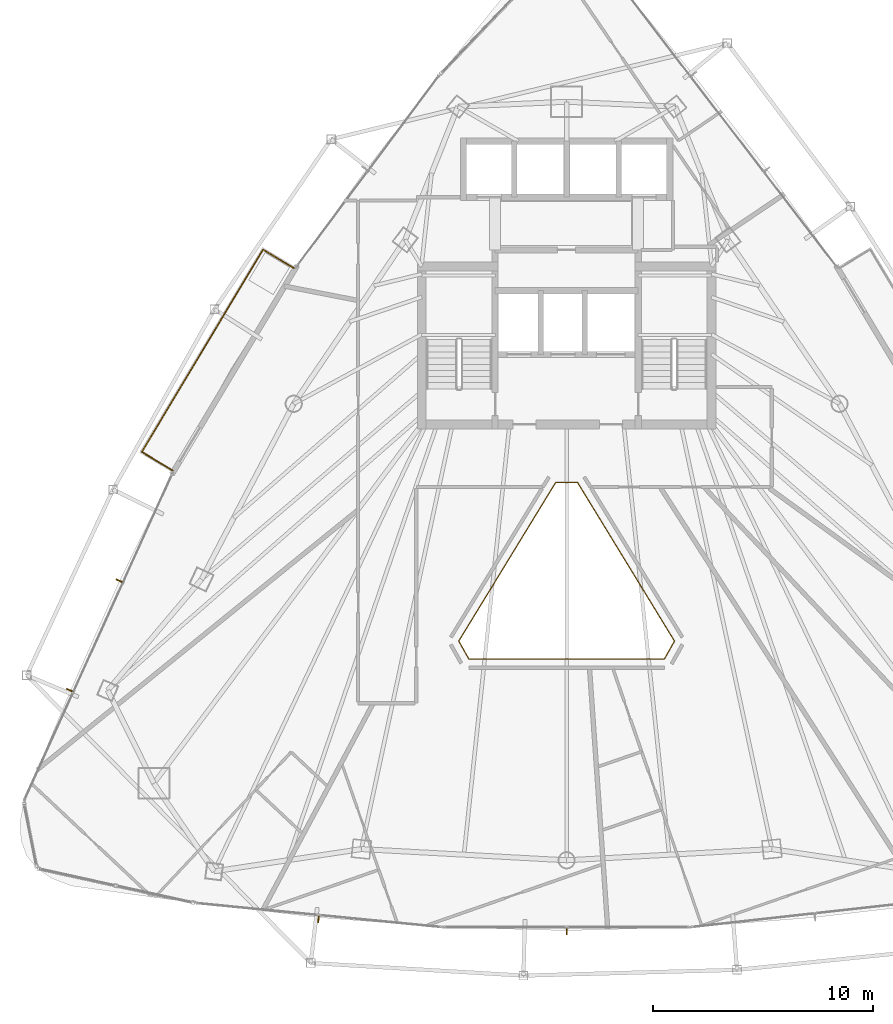
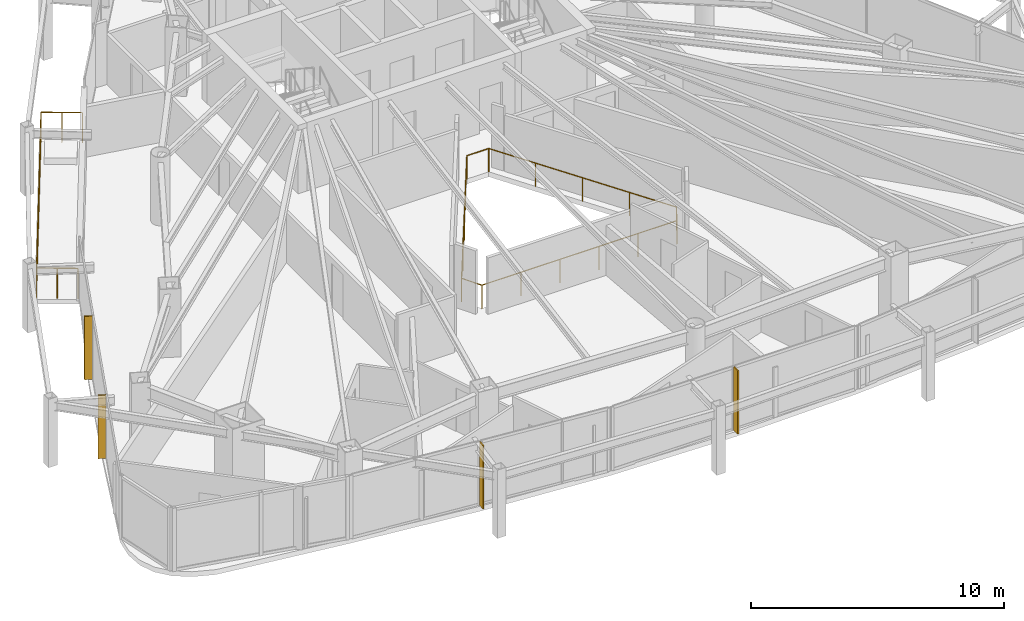
# One storey, part 27 of 29: 4 shading devices, 2 railings.
"""IFC4 building model written with IfcOpenShell, lengths in metres."""

from ifc_helpers import new_model, si_unit, direction, frame, origin, origin_2d, place, context, subcontext, project, spatial, rectangle, circle, extrude, material, layer, layer_set, type_object, element, save


model = new_model("IFC4")

# Units and contexts
model_context = context("Model", 3, precision=1e-05, world=origin(), true_north=direction((0.0, 1.0)))
body_context = subcontext(model_context, "Body", "Model", "MODEL_VIEW")
ifc_project = project(units=[si_unit("LENGTHUNIT", "METRE"), si_unit("AREAUNIT", "SQUARE_METRE"), si_unit("VOLUMEUNIT", "CUBIC_METRE"), si_unit("PLANEANGLEUNIT", "RADIAN"), si_unit("MASSUNIT", "GRAM", prefix="KILO")], contexts=[model_context])

# Site, building, storey
site_placement = place(None, origin())
site = spatial("IfcSite", under=ifc_project, at=site_placement, CompositionType="ELEMENT")
building_placement = place(site_placement, origin())
building = spatial("IfcBuilding", under=site, at=building_placement, Name="Orvanel Arch Residences", CompositionType="ELEMENT")
storey_placement = place(building_placement, frame((0.0, 0.0, 163.85009765625)))
storey = spatial("IfcBuildingStorey", under=building, at=storey_placement, Name="L46", CompositionType="ELEMENT", Elevation=163.85009765625)

# Shading devices
ifc_material = material(Name="Bronze-anodised aluminium AA6063-T6", Category="aluminium")
ifc_layer = layer(ifc_material, 0.054931640625)
ifc_layer_set = layer_set([ifc_layer], Name="Bronze-anodised aluminium AA6063-T6")
shading_device_type = type_object("IfcShadingDeviceType", Name="FIN-BRZ-320", PredefinedType="USERDEFINED", material=ifc_layer_set)
for number, where, z_axis, x_axis, name in (
    (1, (12.6240234375, 19.577880859375, -0.000244140625), (0.0, 0.0, 1.0), (-0.910683660806, 0.413104429825, 0.0), "L46 Anodised Bronze Mullion FIN 01"),
    (2, (10.363037109375, 14.592041015625, -0.000244140625), (0.0, 0.0, 1.0), (-0.910683660806, 0.413104429825, 0.0), "L46 Anodised Bronze Mullion FIN 02"),
    (3, (21.698974609375, 4.157958984375, -0.000244140625), (0.0, 0.0, 1.0), (-0.097582899759, -0.995227399982, 0.0), "L46 Anodised Bronze Mullion FIN 01"),
    (4, (33.0, 3.60595703125, -0.000244140625), (0.0, 0.0, 1.0), (0.0, -1.0, 0.0), "L46 Anodised Bronze Mullion FIN 01"),
):
    element("IfcShadingDevice", number, at=place(storey_placement, frame(where, z_axis=z_axis, x_axis=x_axis)), inside=storey, type_object=shading_device_type, Name=name, ObjectType="FIN", PredefinedType="USERDEFINED", context=body_context, shape_type="SweptSolid", body=[
        extrude(rectangle(XDim=0.320068359375, YDim=0.054931640625, at=origin_2d()), origin(), (0.0, 0.0, 1.0), 3.06005859375),
    ])

# Railings
railing_type_1 = type_object("IfcRailingType", Name="RL-ATR-1150", PredefinedType="BALUSTRADE", material=ifc_material)
railing_1_placement = place(storey_placement, frame((33.498046875, 24.049072265625, 0.0)))
element("IfcRailing", 5, at=railing_1_placement, inside=storey, type_object=railing_type_1, Name="L46 Atrium Void Protective Balustrade", PredefinedType="BALUSTRADE", context=body_context, shape_type="SweptSolid", body=[
    extrude(circle(Radius=0.02392578125, at=origin_2d()), frame((-0.00146484375, 0.0, 1.1259765625), z_axis=(-1.0, 0.0, 0.0), x_axis=(0.0, -1.0, 0.0)), (0.0, 0.0, 1.0), 0.9931640625),
    extrude(circle(Radius=0.02392578125, at=origin_2d()), frame((-0.996826171875, -0.001220703125, 1.1259765625), z_axis=(-0.5215235511, -0.853236887182, 0.0), x_axis=(0.853236887182, -0.5215235511, 0.0)), (0.0, 0.0, 1.0), 8.45654296875),
    extrude(circle(Radius=0.02392578125, at=origin_2d()), frame((-5.4072265625, -7.21923828125, 1.1259765625), z_axis=(0.489590575617, -0.871952446104, 0.0), x_axis=(0.871952446104, 0.489590575617, 0.0)), (0.0, 0.0, 1.0), 0.930419921875),
    extrude(circle(Radius=0.02392578125, at=origin_2d()), frame((-4.949462890625, -8.031982421875, 1.1259765625), z_axis=(1.0, 0.0, 0.0), x_axis=(0.0, 1.0, 0.0)), (0.0, 0.0, 1.0), 8.90283203125),
    extrude(circle(Radius=0.02392578125, at=origin_2d()), frame((3.95556640625, -8.03076171875, 1.1259765625), z_axis=(0.489590575617, 0.871952446104, 0.0), x_axis=(-0.871952446104, 0.489590575617, 0.0)), (0.0, 0.0, 1.0), 0.930419921875),
    extrude(circle(Radius=0.02392578125, at=origin_2d()), frame((4.4111328125, -7.216796875, 1.1259765625), z_axis=(-0.5215235511, 0.853236887182, 0.0), x_axis=(-0.853236887182, -0.5215235511, 0.0)), (0.0, 0.0, 1.0), 8.45654296875),
    extrude(circle(Radius=0.02099609375, at=origin_2d()), origin(), (0.0, 0.0, 1.0), 1.099853515625),
    extrude(circle(Radius=0.02099609375, at=origin_2d()), frame((-0.99609375, 0.0, 0.0)), (0.0, 0.0, 1.0), 1.099853515625),
    extrude(circle(Radius=0.02099609375, at=origin_2d()), frame((-2.09912109375, -1.804443359375, 0.0)), (0.0, 0.0, 1.0), 1.099853515625),
    extrude(circle(Radius=0.02099609375, at=origin_2d()), frame((-3.2021484375, -3.60888671875, 0.0)), (0.0, 0.0, 1.0), 1.099853515625),
    extrude(circle(Radius=0.02099609375, at=origin_2d()), frame((-4.304931640625, -5.41357421875, 0.0)), (0.0, 0.0, 1.0), 1.099853515625),
    extrude(circle(Radius=0.02099609375, at=origin_2d()), frame((-5.407958984375, -7.218017578125, 0.0)), (0.0, 0.0, 1.0), 1.099853515625),
    extrude(circle(Radius=0.02099609375, at=origin_2d()), frame((-4.950927734375, -8.031982421875, 0.0)), (0.0, 0.0, 1.0), 1.099853515625),
    extrude(circle(Radius=0.02099609375, at=origin_2d()), frame((-3.169677734375, -8.031982421875, 0.0)), (0.0, 0.0, 1.0), 1.099853515625),
    extrude(circle(Radius=0.02099609375, at=origin_2d()), frame((-1.388671875, -8.031982421875, 0.0)), (0.0, 0.0, 1.0), 1.099853515625),
    extrude(circle(Radius=0.02099609375, at=origin_2d()), frame((0.392578125, -8.031982421875, 0.0)), (0.0, 0.0, 1.0), 1.099853515625),
    extrude(circle(Radius=0.02099609375, at=origin_2d()), frame((2.173583984375, -8.031982421875, 0.0)), (0.0, 0.0, 1.0), 1.099853515625),
    extrude(circle(Radius=0.02099609375, at=origin_2d()), frame((3.954833984375, -8.031982421875, 0.0)), (0.0, 0.0, 1.0), 1.099853515625),
    extrude(circle(Radius=0.02099609375, at=origin_2d()), frame((4.411865234375, -7.218017578125, 0.0)), (0.0, 0.0, 1.0), 1.099853515625),
    extrude(circle(Radius=0.02099609375, at=origin_2d()), frame((3.308837890625, -5.41357421875, 0.0)), (0.0, 0.0, 1.0), 1.099853515625),
    extrude(circle(Radius=0.02099609375, at=origin_2d()), frame((2.2060546875, -3.60888671875, 0.0)), (0.0, 0.0, 1.0), 1.099853515625),
    extrude(circle(Radius=0.02099609375, at=origin_2d()), frame((1.10302734375, -1.804443359375, 0.0)), (0.0, 0.0, 1.0), 1.099853515625),
])
railing_type_2 = type_object("IfcRailingType", Name="RL-BAL-1480", PredefinedType="BALUSTRADE", material=ifc_material)
railing_2_placement = place(storey_placement, frame((20.5791015625, 33.818115234375, 0.0)))
element("IfcRailing", 6, at=railing_2_placement, inside=storey, type_object=railing_type_2, Name="L46 Balcony Perimeter Guardrail Face 1", PredefinedType="BALUSTRADE", context=body_context, shape_type="SweptSolid", body=[
    extrude(circle(Radius=0.02392578125, at=origin_2d()), frame((-0.001220703125, 0.000732421875, 1.4560546875), z_axis=(-0.857387817543, 0.514670895164, 0.0), x_axis=(-0.514670895164, -0.857387817543, 0.0)), (0.0, 0.0, 1.0), 1.636962890625),
    extrude(circle(Radius=0.02392578125, at=origin_2d()), frame((-1.40673828125, 0.8427734375, 1.4560546875), z_axis=(-0.514402191401, -0.857549057187, 0.0), x_axis=(0.857549057187, -0.514402191401, 0.0)), (0.0, 0.0, 1.0), 10.74169921875),
    extrude(circle(Radius=0.02392578125, at=origin_2d()), frame((-6.931884765625, -8.370849609375, 1.4560546875), z_axis=(0.857545439568, -0.514408222208, 0.0), x_axis=(0.514408222208, 0.857545439568, 0.0)), (0.0, 0.0, 1.0), 1.6376953125),
    extrude(circle(Radius=0.02099609375, at=origin_2d()), origin(), (0.0, 0.0, 1.0), 1.429931640625),
    extrude(circle(Radius=0.02099609375, at=origin_2d()), frame((-0.703125, 0.421875, 0.0)), (0.0, 0.0, 1.0), 1.429931640625),
    extrude(circle(Radius=0.02099609375, at=origin_2d()), frame((-1.406005859375, 0.843994140625, 0.0)), (0.0, 0.0, 1.0), 1.429931640625),
    extrude(circle(Radius=0.02099609375, at=origin_2d()), frame((-2.02001953125, -0.1796875, 0.0)), (0.0, 0.0, 1.0), 1.429931640625),
    extrude(circle(Radius=0.02099609375, at=origin_2d()), frame((-2.63427734375, -1.20361328125, 0.0)), (0.0, 0.0, 1.0), 1.429931640625),
    extrude(circle(Radius=0.02099609375, at=origin_2d()), frame((-3.248291015625, -2.227294921875, 0.0)), (0.0, 0.0, 1.0), 1.429931640625),
    extrude(circle(Radius=0.02099609375, at=origin_2d()), frame((-3.862548828125, -3.251220703125, 0.0)), (0.0, 0.0, 1.0), 1.429931640625),
    extrude(circle(Radius=0.02099609375, at=origin_2d()), frame((-4.4765625, -4.27490234375, 0.0)), (0.0, 0.0, 1.0), 1.429931640625),
    extrude(circle(Radius=0.02099609375, at=origin_2d()), frame((-5.0908203125, -5.298828125, 0.0)), (0.0, 0.0, 1.0), 1.429931640625),
    extrude(circle(Radius=0.02099609375, at=origin_2d()), frame((-5.704833984375, -6.322509765625, 0.0)), (0.0, 0.0, 1.0), 1.429931640625),
    extrude(circle(Radius=0.02099609375, at=origin_2d()), frame((-6.319091796875, -7.346435546875, 0.0)), (0.0, 0.0, 1.0), 1.429931640625),
    extrude(circle(Radius=0.02099609375, at=origin_2d()), frame((-6.93310546875, -8.3701171875, 0.0)), (0.0, 0.0, 1.0), 1.429931640625),
    extrude(circle(Radius=0.02099609375, at=origin_2d()), frame((-6.2294921875, -8.7919921875, 0.0)), (0.0, 0.0, 1.0), 1.429931640625),
    extrude(circle(Radius=0.02099609375, at=origin_2d()), frame((-5.526123046875, -9.214111328125, 0.0)), (0.0, 0.0, 1.0), 1.429931640625),
])

save(model, "model.ifc")
